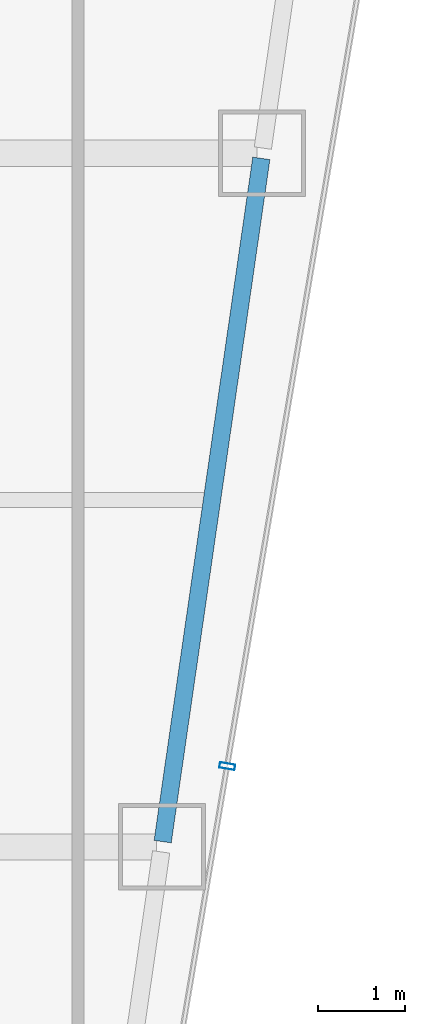
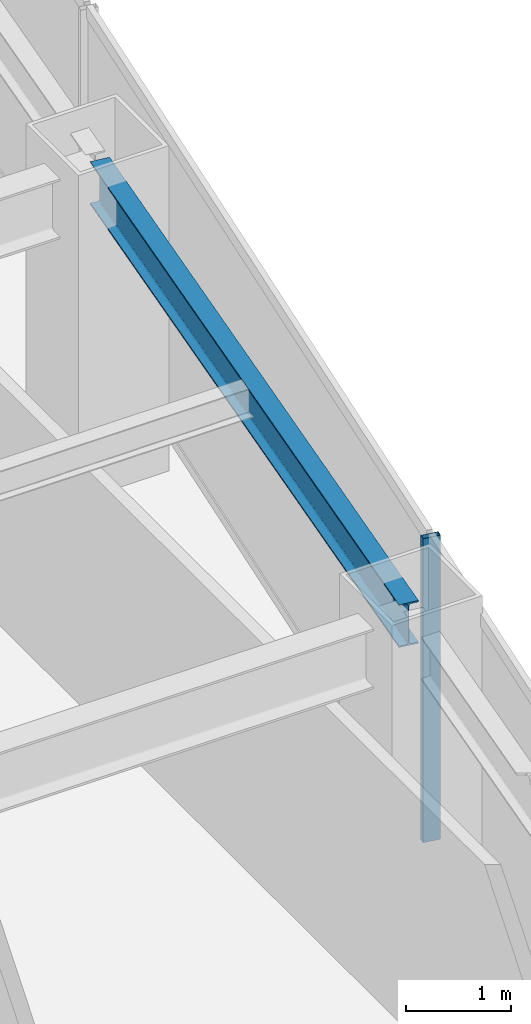
# One storey, part 19 of 35: 1 beam, 1 member, 1 element without a shape of its own.
"""IFC4 building model written with IfcOpenShell, lengths in metres."""

from ifc_helpers import new_model, si_unit, direction, frame, origin, origin_2d, place, context, subcontext, project, spatial, hollow_rectangle, i_section, extrude, material, material_profile, profile_set, type_object, element, aggregate, save


model = new_model("IFC4")

# Units and contexts
model_context = context("Model", 3, precision=1e-05, world=origin(), true_north=direction((0.0, 1.0)))
body_context = subcontext(model_context, "Body", "Model", "MODEL_VIEW")
ifc_project = project(units=[si_unit("LENGTHUNIT", "METRE"), si_unit("AREAUNIT", "SQUARE_METRE"), si_unit("VOLUMEUNIT", "CUBIC_METRE"), si_unit("PLANEANGLEUNIT", "RADIAN"), si_unit("MASSUNIT", "GRAM", prefix="KILO")], contexts=[model_context])

# Site, building, storey
site_placement = place(None, origin())
site = spatial("IfcSite", under=ifc_project, at=site_placement, CompositionType="ELEMENT")
building_placement = place(site_placement, origin())
building = spatial("IfcBuilding", under=site, at=building_placement, Name="Saevonmaru Cultural Tower", CompositionType="ELEMENT")
storey_placement = place(building_placement, frame((0.0, 0.0, 175.199951171875)))
storey = spatial("IfcBuildingStorey", under=building, at=storey_placement, Name="L39", CompositionType="ELEMENT", Elevation=175.199951171875)

# Beam
ifc_material_1 = material(Name="Steel SM355", Category="steel")
ifc_material_profile_1 = material_profile(ifc_material_1, i_section(OverallWidth=0.199951171875, OverallDepth=0.5, WebThickness=0.010009765625, FlangeThickness=0.01611328125, FilletRadius=0.02001953125, at=origin_2d()), Name="H-500x200x10x16")
ifc_profile_set_1 = profile_set([ifc_material_profile_1], Name="Steel SM355")
beam_type = type_object("IfcBeamType", Name="BM-SP-H500", PredefinedType="SPANDREL", material=ifc_profile_set_1)
beam_placement = place(storey_placement, frame((50.53662109375, 24.059326171875, 3.300048828125), z_axis=(0.142871999001, 0.989741174197, 0.0), x_axis=(-0.989741174197, 0.142871999001, 0.0)))
element("IfcBeam", 1, at=beam_placement, inside=storey, type_object=beam_type, Name="L39 East Splayed Spandrel 2", PredefinedType="SPANDREL", context=body_context, shape_type="SweptSolid", body=[
    extrude(i_section(OverallWidth=0.199951171875, OverallDepth=0.5, WebThickness=0.010009765625, FlangeThickness=0.01611328125, FilletRadius=0.02001953125, at=origin_2d()), origin(), (0.0, 0.0, 1.0), 7.963134765625),
])

# Curtain wall, member
ifc_material_2 = material(Name="Satin Bronze Anodised Aluminium", Category="aluminium")
curtain_wall_type = type_object("IfcCurtainWallType", Name="CW-TYP-B", PredefinedType="NOTDEFINED", material=ifc_material_2)
curtain_wall_placement = place(storey_placement, origin())
curtain_wall = element("IfcCurtainWall", 2, at=curtain_wall_placement, inside=storey, type_object=curtain_wall_type, Name="L39 Unitised Curtain Wall E8", PredefinedType="NOTDEFINED")
ifc_material_profile_2 = material_profile(ifc_material_2, hollow_rectangle(XDim=0.06494140625, YDim=0.179931640625, WallThickness=0.00390625, at=origin_2d()), Name="ALU-MULL-180x65x4")
ifc_profile_set_2 = profile_set([ifc_material_profile_2], Name="Satin Bronze Anodised Aluminium")
member_type = type_object("IfcMemberType", Name="ML-CW-180x65", PredefinedType="MULLION", material=ifc_profile_set_2)
member_placement = place(storey_placement, frame((51.28173828125, 24.9296875, 0.0), z_axis=(0.0, 0.0, 1.0), x_axis=(0.16692169721, 0.985970155228, 0.0)))
member = element("IfcMember", 3, at=member_placement, type_object=member_type, Name="CW-TW-L39-E8 mullion 2", PredefinedType="MULLION", context=body_context, shape_type="SweptSolid", body=[
    extrude(hollow_rectangle(XDim=0.06494140625, YDim=0.179931640625, WallThickness=0.00390625, at=origin_2d()), origin(), (0.0, 0.0, 1.0), 3.550048828125),
])
aggregate(curtain_wall, [member])

save(model, "model.ifc")
